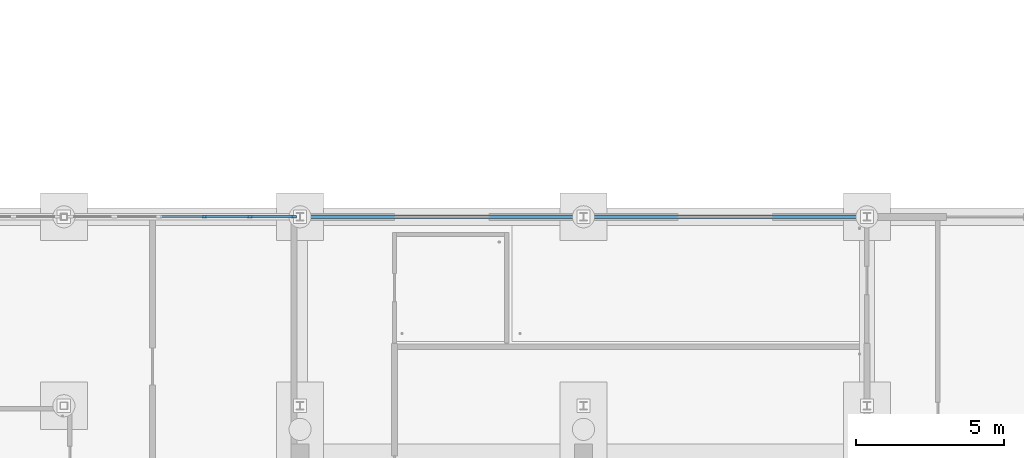
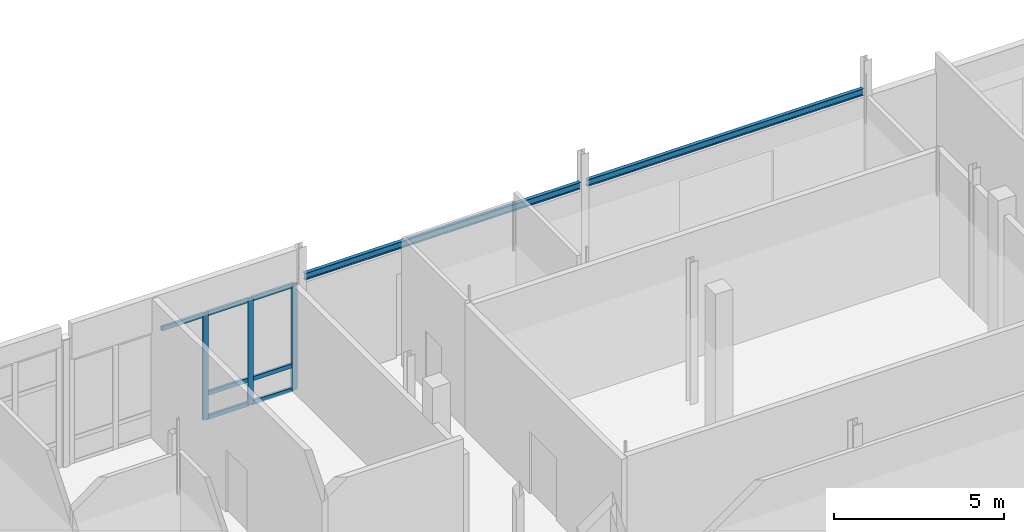
# One storey, part 30 of 111: 10 members, 2 beams, 1 element without a shape of its own.
"""IFC4 building model written with IfcOpenShell, lengths in metres."""

from ifc_helpers import new_model, si_unit, direction, frame, origin, origin_2d, place, context, subcontext, project, spatial, rectangle, i_section, extrude, material, material_profile, profile_set, type_object, element, aggregate, save


model = new_model("IFC4")

# Units and contexts
model_context = context("Model", 3, precision=1e-05, world=origin(), true_north=direction((0.0, 1.0)))
body_context = subcontext(model_context, "Body", "Model", "MODEL_VIEW")
ifc_project = project(units=[si_unit("LENGTHUNIT", "METRE"), si_unit("AREAUNIT", "SQUARE_METRE"), si_unit("VOLUMEUNIT", "CUBIC_METRE"), si_unit("PLANEANGLEUNIT", "RADIAN"), si_unit("MASSUNIT", "GRAM", prefix="KILO")], contexts=[model_context])

# Site, building, storey
site_placement = place(None, origin())
site = spatial("IfcSite", under=ifc_project, at=site_placement, CompositionType="ELEMENT")
building_placement = place(site_placement, origin())
building = spatial("IfcBuilding", under=site, at=building_placement, Name="Dunescarp Central Library", CompositionType="ELEMENT")
storey_placement = place(building_placement, origin())
storey = spatial("IfcBuildingStorey", under=building, at=storey_placement, Name="L00", CompositionType="ELEMENT", Elevation=0.0)

# Curtain wall, members
ifc_material_1 = material(Name="Marine-grade anodised aluminium 6063-T6", Category="aluminium")
curtain_wall_type = type_object("IfcCurtainWallType", Name="ARC-CW-STICK", PredefinedType="NOTDEFINED", material=ifc_material_1)
curtain_wall_placement = place(storey_placement, origin())
curtain_wall = element("IfcCurtainWall", 1, at=curtain_wall_placement, inside=storey, type_object=curtain_wall_type, Name="L00 curtain wall CW-CLN-192", PredefinedType="NOTDEFINED")
ifc_material_profile_1 = material_profile(ifc_material_1, rectangle(XDim=0.080078125, YDim=0.179931640625, at=origin_2d()), Name="AL 80x180")
ifc_profile_set_1 = profile_set([ifc_material_profile_1], Name="Marine-grade anodised aluminium 6063-T6")
member_type_1 = type_object("IfcMemberType", Name="ARC-CWM-180", PredefinedType="MULLION", material=ifc_profile_set_1)
member_1_placement = place(storey_placement, frame((94.364990234375, 49.60009765625, 0.0), z_axis=(0.0, 0.0, 1.0), x_axis=(0.0, 1.0, 0.0)))
member_1 = element("IfcMember", 2, at=member_1_placement, type_object=member_type_1, Name="CW-CLN-192 mullion 4", PredefinedType="MULLION", context=body_context, shape_type="SweptSolid", body=[
    extrude(rectangle(XDim=0.080078125, YDim=0.179931640625, at=origin_2d()), origin(), (0.0, 0.0, 1.0), 3.804931640625),
])
member_2_placement = place(storey_placement, frame((95.89501953125, 49.60009765625, 0.0), z_axis=(0.0, 0.0, 1.0), x_axis=(0.0, 1.0, 0.0)))
member_2 = element("IfcMember", 3, at=member_2_placement, type_object=member_type_1, Name="CW-CLN-192 mullion 5", PredefinedType="MULLION", context=body_context, shape_type="SweptSolid", body=[
    extrude(rectangle(XDim=0.080078125, YDim=0.179931640625, at=origin_2d()), origin(), (0.0, 0.0, 1.0), 3.804931640625),
])
member_3_placement = place(storey_placement, frame((97.385009765625, 49.60009765625, 0.0), z_axis=(0.0, 0.0, 1.0), x_axis=(0.0, 1.0, 0.0)))
member_3 = element("IfcMember", 4, at=member_3_placement, type_object=member_type_1, Name="CW-CLN-192 mullion 6", PredefinedType="MULLION", context=body_context, shape_type="SweptSolid", body=[
    extrude(rectangle(XDim=0.080078125, YDim=0.179931640625, at=origin_2d()), origin(), (0.0, 0.0, 1.0), 3.804931640625),
])
ifc_material_profile_2 = material_profile(ifc_material_1, rectangle(XDim=0.080078125, YDim=0.14990234375, at=origin_2d()), Name="AL 80x150")
ifc_profile_set_2 = profile_set([ifc_material_profile_2], Name="Marine-grade anodised aluminium 6063-T6")
member_type_2 = type_object("IfcMemberType", Name="ARC-CWT-150", PredefinedType="USERDEFINED", material=ifc_profile_set_2)
member_4_placement = place(storey_placement, frame((92.875, 49.60009765625, 3.764892578125), z_axis=(1.0, 0.0, 0.0), x_axis=(0.0, 1.0, 0.0)))
member_4 = element("IfcMember", 5, at=member_4_placement, type_object=member_type_2, Name="CW-CLN-192 transom 3.3", ObjectType="TRANSOM", PredefinedType="USERDEFINED", context=body_context, shape_type="SweptSolid", body=[
    extrude(rectangle(XDim=0.080078125, YDim=0.14990234375, at=origin_2d()), origin(), (0.0, 0.0, 1.0), 1.449951171875),
])
member_5_placement = place(storey_placement, frame((94.405029296875, 49.60009765625, 0.0400390625), z_axis=(1.0, 0.0, 0.0), x_axis=(0.0, 1.0, 0.0)))
member_5 = element("IfcMember", 6, at=member_5_placement, type_object=member_type_2, Name="CW-CLN-192 transom 4.1", ObjectType="TRANSOM", PredefinedType="USERDEFINED", context=body_context, shape_type="SweptSolid", body=[
    extrude(rectangle(XDim=0.080078125, YDim=0.14990234375, at=origin_2d()), origin(), (0.0, 0.0, 1.0), 1.449951171875),
])
member_6_placement = place(storey_placement, frame((94.405029296875, 49.60009765625, 0.89990234375), z_axis=(1.0, 0.0, 0.0), x_axis=(0.0, 1.0, 0.0)))
member_6 = element("IfcMember", 7, at=member_6_placement, type_object=member_type_2, Name="CW-CLN-192 transom 4.2", ObjectType="TRANSOM", PredefinedType="USERDEFINED", context=body_context, shape_type="SweptSolid", body=[
    extrude(rectangle(XDim=0.080078125, YDim=0.14990234375, at=origin_2d()), origin(), (0.0, 0.0, 1.0), 1.449951171875),
])
member_7_placement = place(storey_placement, frame((94.405029296875, 49.60009765625, 3.764892578125), z_axis=(1.0, 0.0, 0.0), x_axis=(0.0, 1.0, 0.0)))
member_7 = element("IfcMember", 8, at=member_7_placement, type_object=member_type_2, Name="CW-CLN-192 transom 4.3", ObjectType="TRANSOM", PredefinedType="USERDEFINED", context=body_context, shape_type="SweptSolid", body=[
    extrude(rectangle(XDim=0.080078125, YDim=0.14990234375, at=origin_2d()), origin(), (0.0, 0.0, 1.0), 1.449951171875),
])
member_8_placement = place(storey_placement, frame((95.93505859375, 49.60009765625, 0.0400390625), z_axis=(1.0, 0.0, 0.0), x_axis=(0.0, 1.0, 0.0)))
member_8 = element("IfcMember", 9, at=member_8_placement, type_object=member_type_2, Name="CW-CLN-192 transom 5.1", ObjectType="TRANSOM", PredefinedType="USERDEFINED", context=body_context, shape_type="SweptSolid", body=[
    extrude(rectangle(XDim=0.080078125, YDim=0.14990234375, at=origin_2d()), origin(), (0.0, 0.0, 1.0), 1.409912109375),
])
member_9_placement = place(storey_placement, frame((95.93505859375, 49.60009765625, 0.89990234375), z_axis=(1.0, 0.0, 0.0), x_axis=(0.0, 1.0, 0.0)))
member_9 = element("IfcMember", 10, at=member_9_placement, type_object=member_type_2, Name="CW-CLN-192 transom 5.2", ObjectType="TRANSOM", PredefinedType="USERDEFINED", context=body_context, shape_type="SweptSolid", body=[
    extrude(rectangle(XDim=0.080078125, YDim=0.14990234375, at=origin_2d()), origin(), (0.0, 0.0, 1.0), 1.409912109375),
])
member_10_placement = place(storey_placement, frame((95.93505859375, 49.60009765625, 3.764892578125), z_axis=(1.0, 0.0, 0.0), x_axis=(0.0, 1.0, 0.0)))
member_10 = element("IfcMember", 11, at=member_10_placement, type_object=member_type_2, Name="CW-CLN-192 transom 5.3", ObjectType="TRANSOM", PredefinedType="USERDEFINED", context=body_context, shape_type="SweptSolid", body=[
    extrude(rectangle(XDim=0.080078125, YDim=0.14990234375, at=origin_2d()), origin(), (0.0, 0.0, 1.0), 1.409912109375),
])
aggregate(curtain_wall, [member_1, member_2, member_3, member_4, member_5, member_6, member_7, member_8, member_9, member_10])

# Beams
ifc_material_2 = material(Name="Steel S355JR", Category="steel")
ifc_material_profile_3 = material_profile(ifc_material_2, i_section(OverallWidth=0.1201171875, OverallDepth=0.239990234375, WebThickness=0.006103515625, FlangeThickness=0.009765625, at=origin_2d()), Name="IPE 240")
ifc_profile_set_3 = profile_set([ifc_material_profile_3], Name="Steel S355JR")
beam_type = type_object("IfcBeamType", Name="STR-LN-IPE240", PredefinedType="LINTEL", material=ifc_profile_set_3)
beam_1_placement = place(storey_placement, frame((97.718017578125, 49.60009765625, 3.949951171875), z_axis=(1.0, 0.0, 0.0), x_axis=(0.0, 1.0, 0.0)))
element("IfcBeam", 12, at=beam_1_placement, inside=storey, type_object=beam_type, Name="L00 structural lintel LN-L00-01", PredefinedType="LINTEL", context=body_context, shape_type="SweptSolid", body=[
    extrude(i_section(OverallWidth=0.1201171875, OverallDepth=0.239990234375, WebThickness=0.006103515625, FlangeThickness=0.009765625, at=origin_2d()), origin(), (0.0, 0.0, 1.0), 9.364013671875),
])
beam_2_placement = place(storey_placement, frame((107.318115234375, 49.60009765625, 3.949951171875), z_axis=(1.0, 0.0, 0.0), x_axis=(0.0, 1.0, 0.0)))
element("IfcBeam", 13, at=beam_2_placement, inside=storey, type_object=beam_type, Name="L00 structural lintel LN-L00-02", PredefinedType="LINTEL", context=body_context, shape_type="SweptSolid", body=[
    extrude(i_section(OverallWidth=0.1201171875, OverallDepth=0.239990234375, WebThickness=0.006103515625, FlangeThickness=0.009765625, at=origin_2d()), origin(), (0.0, 0.0, 1.0), 9.36376953125),
])

save(model, "model.ifc")
